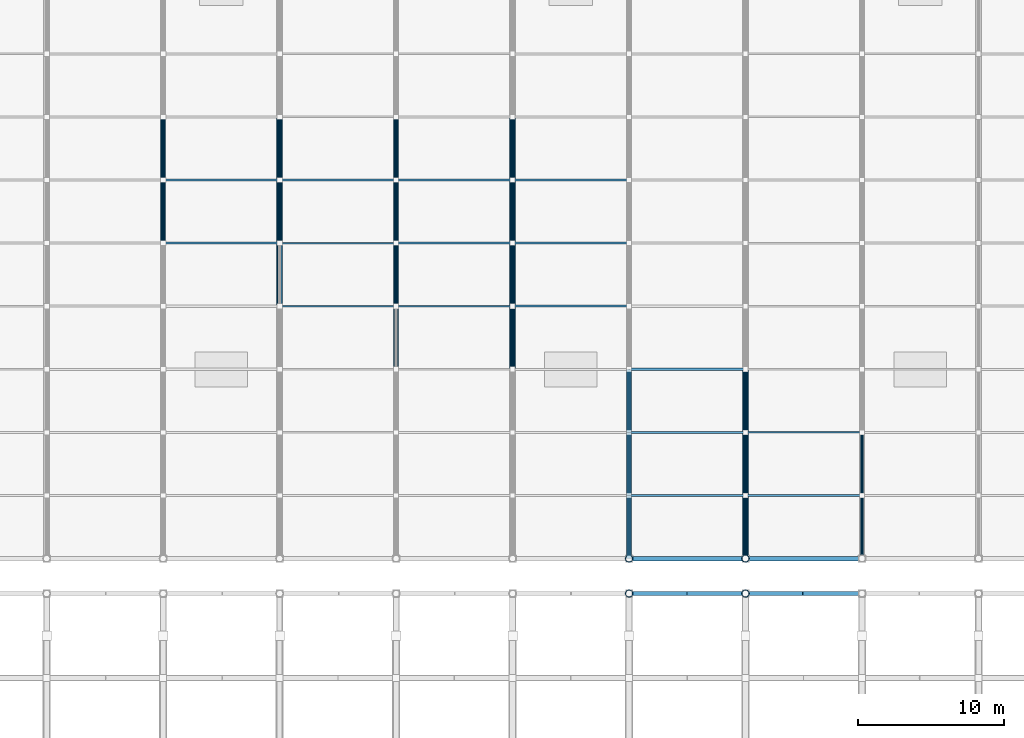
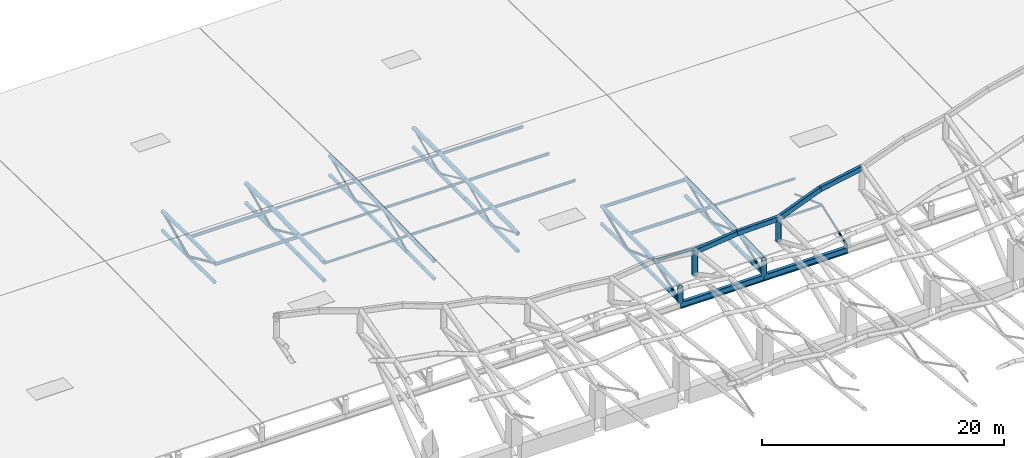
# One storey, part 19 of 75: 77 members, 6 beams.
"""IFC4 building model written with IfcOpenShell, lengths in metres."""

import ifcopenshell
import ifcopenshell.guid

model = None  # the IFC model being written
_history = None  # IfcOwnerHistory: only IFC2X3 demands one
_inside = {}  # id of a spatial element -> (the spatial element, [elements in it])
_under = {}  # id of a project, library or spatial element -> (it, [spatial elements below it])
_declared = {}  # id of a project -> (the project, [libraries it declares])
_typed = {}  # id of a type object -> (the type object, [elements of that type])
_made_of = {}  # id of a material, layer set ... -> (it, [elements and type objects made of it])


def new_model(schema):
    """Start an empty IFC model of exactly this schema.

    Asked for "IFC4X3", IfcOpenShell would pick the latest addendum, in which some entities
    have other attributes; the version numbers below select the first issue.
    IFC2X3 requires an IfcOwnerHistory on every rooted entity: one is made here for all.
    """
    global model, _history
    if schema == "IFC4X3":
        model = ifcopenshell.file(schema_version=(4, 3, 0, 0))
    else:
        model = ifcopenshell.file(schema=schema)
    _inside.clear()
    _under.clear()
    _declared.clear()
    _typed.clear()
    _made_of.clear()
    _history = None
    if model.schema == "IFC2X3":
        org = make("IfcOrganization", Name="unknown")
        user = make(
            "IfcPersonAndOrganization",
            ThePerson=make("IfcPerson", FamilyName="unknown"),
            TheOrganization=org,
        )
        app = make(
            "IfcApplication",
            ApplicationDeveloper=org,
            Version="unknown",
            ApplicationFullName="unknown",
            ApplicationIdentifier="unknown",
        )
        _history = make(
            "IfcOwnerHistory",
            OwningUser=user,
            OwningApplication=app,
            ChangeAction="ADDED",
            CreationDate=0,
        )
    return model


def make(cls, **values):
    """One entity of the class cls with the attributes given. An attribute that is None is left unset."""
    return model.create_entity(
        cls, **{name: value for name, value in values.items() if value is not None}
    )


def rooted(cls, **values):
    """An entity with a GlobalId (a new one), such as an element, a storey or a relation."""
    return make(cls, GlobalId=ifcopenshell.guid.new(), OwnerHistory=_history, **values)


def si_unit(unit_type, name, prefix=None):
    """IfcSIUnit, for example si_unit("LENGTHUNIT", "METRE", prefix="MILLI")."""
    return make("IfcSIUnit", UnitType=unit_type, Prefix=prefix, Name=name)


def assignment(units):
    """IfcUnitAssignment: the units of a project."""
    return None if units is None else make("IfcUnitAssignment", Units=units)


def point(xyz):
    """IfcCartesianPoint."""
    return None if xyz is None else make("IfcCartesianPoint", Coordinates=xyz)


def direction(xyz):
    """IfcDirection."""
    return None if xyz is None else make("IfcDirection", DirectionRatios=xyz)


def frame(location, z_axis=None, x_axis=None):
    """IfcAxis2Placement3D, a coordinate frame: its origin and axes. An axis left out is left unset."""
    return make(
        "IfcAxis2Placement3D",
        Location=point(location),
        Axis=direction(z_axis),
        RefDirection=direction(x_axis),
    )


def frame_2d(location, x_axis=None):
    """IfcAxis2Placement2D, a coordinate frame in the plane: its origin and x axis."""
    return make(
        "IfcAxis2Placement2D", Location=point(location), RefDirection=direction(x_axis)
    )


def origin():
    """The frame at (0, 0, 0) with its axes left unset."""
    return frame((0.0, 0.0, 0.0))


def origin_2d():
    """The frame at (0, 0) in the plane with its x axis left unset."""
    return frame_2d((0.0, 0.0))


def place(relative_to, where):
    """IfcLocalPlacement: puts the frame where relative to a parent placement (None: the world)."""
    return make(
        "IfcLocalPlacement", PlacementRelTo=relative_to, RelativePlacement=where
    )


def context(
    kind, dimensions, precision=None, world=None, true_north=None, identifier=None
):
    """IfcGeometricRepresentationContext, for example the 3D "Model" context."""
    return make(
        "IfcGeometricRepresentationContext",
        ContextIdentifier=identifier,
        ContextType=kind,
        CoordinateSpaceDimension=dimensions,
        Precision=precision,
        WorldCoordinateSystem=world,
        TrueNorth=true_north,
    )


def subcontext(parent, identifier, kind, view, scale=None):
    """IfcGeometricRepresentationSubContext, for example "Body" below "Model"."""
    return make(
        "IfcGeometricRepresentationSubContext",
        ContextIdentifier=identifier,
        ContextType=kind,
        ParentContext=parent,
        TargetScale=scale,
        TargetView=view,
    )


def project(units=None, contexts=None):
    """IfcProject with its units and contexts."""
    return rooted(
        "IfcProject",
        Name="project",
        RepresentationContexts=contexts,
        UnitsInContext=assignment(units),
    )


def spatial(cls, under=None, at=None, **own):
    """A site, building, storey or space (cls), placed at a placement, below another one or the project."""
    s = rooted(cls, ObjectPlacement=at, **own)
    if under is not None:
        _under.setdefault(under.id(), (under, []))[1].append(s)
    return s


def profile(cls, at=None, kind="AREA", **sizes):
    """A parametric profile (cls). Its sizes go by their IFC names, for example OverallWidth=200.0."""
    return make(cls, ProfileType=kind, Position=at, **sizes)


def hollow_rectangle(**sizes):
    """IfcRectangleHollowProfileDef."""
    return profile("IfcRectangleHollowProfileDef", **sizes)


def hollow_circle(**sizes):
    """IfcCircleHollowProfileDef."""
    return profile("IfcCircleHollowProfileDef", **sizes)


def i_section(**sizes):
    """IfcIShapeProfileDef."""
    return profile("IfcIShapeProfileDef", **sizes)


def extrude(swept, where, along, depth):
    """IfcExtrudedAreaSolid: the profile swept, set in the frame where, extruded along a direction by depth."""
    return make(
        "IfcExtrudedAreaSolid",
        SweptArea=swept,
        Position=where,
        ExtrudedDirection=direction(along),
        Depth=depth,
    )


def shape(context_of_items, identifier, shape_type, items):
    """IfcShapeRepresentation: the items that make up one representation, for example the "Body"."""
    return make(
        "IfcShapeRepresentation",
        ContextOfItems=context_of_items,
        RepresentationIdentifier=identifier,
        RepresentationType=shape_type,
        Items=items,
    )


def material(Name=None, Category=None):
    """IfcMaterial."""
    return make("IfcMaterial", Name=Name, Category=Category)


def material_profile(
    of_material, cross_section, Name=None, Category=None, Priority=None
):
    """IfcMaterialProfile: a cross section and its material."""
    return make(
        "IfcMaterialProfile",
        Name=Name,
        Material=of_material,
        Profile=cross_section,
        Priority=Priority,
        Category=Category,
    )


def profile_set(profiles, Name=None, composite=None):
    """IfcMaterialProfileSet."""
    return make(
        "IfcMaterialProfileSet",
        Name=Name,
        MaterialProfiles=profiles,
        CompositeProfile=composite,
    )


def made_of(thing, what):
    """Note that an element or type object is made of a material, layer set ...; save() writes the relation."""
    if what is not None:
        _made_of.setdefault(what.id(), (what, []))[1].append(thing)
    return thing


def type_object(cls, material=None, **own):
    """A type object (cls), such as IfcWallType, which elements share."""
    return made_of(rooted(cls, **own), material)


def element(
    cls,
    number,
    at=None,
    inside=None,
    cuts=None,
    type_object=None,
    material=None,
    context=None,
    identifier="Body",
    shape_type=None,
    held_by="IfcProductDefinitionShape",
    body=None,
    shapes=None,
    **own,
):
    """One element of the class cls, such as IfcWall. Its Tag is "e" and its number.

    at: its placement. inside: the storey or other place that contains it. cuts: it is an
    opening in that element (IfcRelVoidsElement). A single representation is given by context,
    identifier, shape_type and body (its items); several are given by shapes. held_by: the class
    of the entity that holds the representations. save() writes the other relations.
    """
    e = rooted(cls, Tag="e%d" % number, ObjectPlacement=at, **own)
    if body is not None:
        shapes = [shape(context, identifier, shape_type, body)]
    if shapes is not None:
        e.Representation = make(held_by, Representations=shapes)
    if inside is not None:
        _inside.setdefault(inside.id(), (inside, []))[1].append(e)
    if cuts is not None:
        rooted(
            "IfcRelVoidsElement", RelatingBuildingElement=cuts, RelatedOpeningElement=e
        )
    if type_object is not None:
        _typed.setdefault(type_object.id(), (type_object, []))[1].append(e)
    return made_of(e, material)


def aggregate(whole, parts):
    """IfcRelAggregates: a whole, such as a stair, and the parts it consists of."""
    return rooted("IfcRelAggregates", RelatingObject=whole, RelatedObjects=parts)


def save(model, path):
    """Write the relations noted so far, then the file.

    IfcRelAggregates (storeys below a building ...), IfcRelContainedInSpatialStructure (elements
    in a storey), IfcRelDefinesByType, IfcRelAssociatesMaterial and IfcRelDeclares: one each for
    every whole, place, type object, material and project.
    """
    for whole, parts in _under.values():
        aggregate(whole, parts)
    for where, things in _inside.values():
        rooted(
            "IfcRelContainedInSpatialStructure",
            RelatedElements=things,
            RelatingStructure=where,
        )
    for kind, things in _typed.values():
        rooted("IfcRelDefinesByType", RelatedObjects=things, RelatingType=kind)
    for what, things in _made_of.values():
        rooted("IfcRelAssociatesMaterial", RelatedObjects=things, RelatingMaterial=what)
    for by, libraries in _declared.values():
        rooted("IfcRelDeclares", RelatingContext=by, RelatedDefinitions=libraries)
    model.write(path)


model = new_model("IFC4")

# Units and contexts
model_context = context("Model", 3, precision=1e-05, world=origin(), true_north=direction((0.0, 1.0)))
body_context = subcontext(model_context, "Body", "Model", "MODEL_VIEW")
ifc_project = project(units=[si_unit("LENGTHUNIT", "METRE"), si_unit("AREAUNIT", "SQUARE_METRE"), si_unit("VOLUMEUNIT", "CUBIC_METRE"), si_unit("PLANEANGLEUNIT", "RADIAN"), si_unit("MASSUNIT", "GRAM", prefix="KILO")], contexts=[model_context])

# Site, building, storey
site_placement = place(None, origin())
site = spatial("IfcSite", under=ifc_project, at=site_placement, CompositionType="ELEMENT")
building_placement = place(site_placement, origin())
building = spatial("IfcBuilding", under=site, at=building_placement, Name="Khorjan Park Terminus", CompositionType="ELEMENT")
storey_placement = place(building_placement, frame((0.0, 0.0, 16.2)))
storey = spatial("IfcBuildingStorey", under=building, at=storey_placement, Name="L03", CompositionType="ELEMENT", Elevation=16.2)

# Members
ifc_material = material(Name="Steel S355", Category="steel")
ifc_material_profile_1 = material_profile(ifc_material, hollow_circle(Radius=0.0842, WallThickness=0.008, at=origin_2d()), Name="CHS 168.3x8")
ifc_profile_set_1 = profile_set([ifc_material_profile_1], Name="Steel S355")
member_type_1 = type_object("IfcMemberType", Name="MB-BR-168", PredefinedType="BRACE", material=ifc_profile_set_1)
member_1_placement = place(storey_placement, frame((88.0, 115.0, -0.825), z_axis=(0.0, 0.92537575721, -0.379051062481), x_axis=(-1.0, 0.0, 0.0)))
element("IfcMember", 1, at=member_1_placement, inside=storey, type_object=member_type_1, Name="Train shed flat truss web diagonal TB-17 (T11)", PredefinedType="BRACE", context=body_context, shape_type="SweptSolid", body=[
    extrude(hollow_circle(Radius=0.0842, WallThickness=0.008, at=origin_2d()), origin(), (0.0, 0.0, 1.0), 4.6827),
])
for number, where, z_axis, x_axis, name in (
    (2, (88.0, 119.3333, -2.6), (0.0, 0.911269553162, 0.411810395061), (-1.0, 0.0, 0.0), "Train shed flat truss web diagonal TB-17 (T11)"),
    (3, (88.0, 123.6667, -0.6417), (0.0, 0.911265986802, -0.411818286745), (-1.0, 0.0, 0.0), "Train shed flat truss web diagonal TB-17 (T11)"),
    (4, (88.0, 128.0, -2.6), (0.0, 0.911265986802, 0.411818286745), (-1.0, 0.0, 0.0), "Train shed flat truss web diagonal TB-17 (T11)"),
):
    element("IfcMember", number, at=place(storey_placement, frame(where, z_axis=z_axis, x_axis=x_axis)), inside=storey, type_object=member_type_1, Name=name, PredefinedType="BRACE", context=body_context, shape_type="SweptSolid", body=[
        extrude(hollow_circle(Radius=0.0842, WallThickness=0.008, at=origin_2d()), origin(), (0.0, 0.0, 1.0), 4.7553),
    ])
ifc_material_profile_2 = material_profile(ifc_material, hollow_circle(Radius=0.0969, WallThickness=0.01, at=origin_2d()), Name="CHS 193.7x10")
ifc_profile_set_2 = profile_set([ifc_material_profile_2], Name="Steel S355")
member_type_2 = type_object("IfcMemberType", Name="MB-BR-194", PredefinedType="BRACE", material=ifc_profile_set_2)
for number, where, z_axis, x_axis, name in (
    (5, (80.0, 119.3333, -2.6), (0.0, 0.911269553162, 0.411810395061), (-1.0, 0.0, 0.0), "Train shed flat truss web diagonal TB-19 (T10)"),
    (6, (80.0, 123.6667, -0.6417), (0.0, 0.911265986802, -0.411818286745), (-1.0, 0.0, 0.0), "Train shed flat truss web diagonal TB-19 (T10)"),
    (7, (80.0, 128.0, -2.6), (0.0, 0.911265986802, 0.411818286745), (-1.0, 0.0, 0.0), "Train shed flat truss web diagonal TB-19 (T10)"),
):
    element("IfcMember", number, at=place(storey_placement, frame(where, z_axis=z_axis, x_axis=x_axis)), inside=storey, type_object=member_type_2, Name=name, PredefinedType="BRACE", context=body_context, shape_type="SweptSolid", body=[
        extrude(hollow_circle(Radius=0.0969, WallThickness=0.01, at=origin_2d()), origin(), (0.0, 0.0, 1.0), 4.7553),
    ])
member_2_placement = place(storey_placement, frame((112.0, 102.0, -2.6), z_axis=(0.0, 0.938678487602, 0.344793701963), x_axis=(-1.0, 0.0, 0.0)))
element("IfcMember", 8, at=member_2_placement, inside=storey, type_object=member_type_2, Name="Train shed flat truss web diagonal TB-19 (T14)", PredefinedType="BRACE", context=body_context, shape_type="SweptSolid", body=[
    extrude(hollow_circle(Radius=0.0969, WallThickness=0.01, at=origin_2d()), origin(), (0.0, 0.0, 1.0), 4.6164),
])
member_3_placement = place(storey_placement, frame((112.0, 106.3333, -1.0083), z_axis=(0.0, 0.938681062758, -0.344786691187), x_axis=(-1.0, 0.0, 0.0)))
element("IfcMember", 9, at=member_3_placement, inside=storey, type_object=member_type_2, Name="Train shed flat truss web diagonal TB-19 (T14)", PredefinedType="BRACE", context=body_context, shape_type="SweptSolid", body=[
    extrude(hollow_circle(Radius=0.0969, WallThickness=0.01, at=origin_2d()), origin(), (0.0, 0.0, 1.0), 4.6165),
])
ifc_material_profile_3 = material_profile(ifc_material, hollow_circle(Radius=0.1095, WallThickness=0.01, at=origin_2d()), Name="CHS 219.1x10")
ifc_profile_set_3 = profile_set([ifc_material_profile_3], Name="Steel S355")
member_type_3 = type_object("IfcMemberType", Name="MB-BR-219", PredefinedType="BRACE", material=ifc_profile_set_3)
for number, where, z_axis, x_axis, name in (
    (10, (72.0, 123.6667, -0.6417), (0.0, 0.911265986802, -0.411818286745), (-1.0, 0.0, 0.0), "Train shed flat truss web diagonal TB-22 (T9)"),
    (11, (72.0, 128.0, -2.6), (0.0, 0.911265986802, 0.411818286745), (-1.0, 0.0, 0.0), "Train shed flat truss web diagonal TB-22 (T9)"),
):
    element("IfcMember", number, at=place(storey_placement, frame(where, z_axis=z_axis, x_axis=x_axis)), inside=storey, type_object=member_type_3, Name=name, PredefinedType="BRACE", context=body_context, shape_type="SweptSolid", body=[
        extrude(hollow_circle(Radius=0.1095, WallThickness=0.01, at=origin_2d()), origin(), (0.0, 0.0, 1.0), 4.7553),
    ])
member_4_placement = place(storey_placement, frame((104.0, 102.0, -2.6), z_axis=(0.0, 0.938678487602, 0.344793701963), x_axis=(-1.0, 0.0, 0.0)))
element("IfcMember", 12, at=member_4_placement, inside=storey, type_object=member_type_3, Name="Train shed flat truss web diagonal TB-22 (T13)", PredefinedType="BRACE", context=body_context, shape_type="SweptSolid", body=[
    extrude(hollow_circle(Radius=0.1095, WallThickness=0.01, at=origin_2d()), origin(), (0.0, 0.0, 1.0), 4.6164),
])
member_5_placement = place(storey_placement, frame((104.0, 106.3333, -1.0083), z_axis=(0.0, 0.938681062758, -0.344786691187), x_axis=(-1.0, 0.0, 0.0)))
element("IfcMember", 13, at=member_5_placement, inside=storey, type_object=member_type_3, Name="Train shed flat truss web diagonal TB-22 (T13)", PredefinedType="BRACE", context=body_context, shape_type="SweptSolid", body=[
    extrude(hollow_circle(Radius=0.1095, WallThickness=0.01, at=origin_2d()), origin(), (0.0, 0.0, 1.0), 4.6165),
])
member_6_placement = place(storey_placement, frame((104.0, 110.6667, -2.6), z_axis=(0.0, 0.92537575721, 0.379051062481), x_axis=(-1.0, 0.0, 0.0)))
element("IfcMember", 14, at=member_6_placement, inside=storey, type_object=member_type_3, Name="Train shed flat truss web diagonal TB-22 (T13)", PredefinedType="BRACE", context=body_context, shape_type="SweptSolid", body=[
    extrude(hollow_circle(Radius=0.1095, WallThickness=0.01, at=origin_2d()), origin(), (0.0, 0.0, 1.0), 4.6827),
])
ifc_material_profile_4 = material_profile(ifc_material, hollow_circle(Radius=0.1222, WallThickness=0.0125, at=origin_2d()), Name="CHS 244.5x12.5")
ifc_profile_set_4 = profile_set([ifc_material_profile_4], Name="Steel S355")
member_type_4 = type_object("IfcMemberType", Name="MB-BR-245", PredefinedType="BRACE", material=ifc_profile_set_4)
for number, where, z_axis, x_axis, name in (
    (15, (64.0, 123.6667, -0.6417), (0.0, 0.911265986802, -0.411818286745), (-1.0, 0.0, 0.0), "Train shed flat truss web diagonal TB-24 (T8)"),
    (16, (64.0, 128.0, -2.6), (0.0, 0.911265986802, 0.411818286745), (-1.0, 0.0, 0.0), "Train shed flat truss web diagonal TB-24 (T8)"),
):
    element("IfcMember", number, at=place(storey_placement, frame(where, z_axis=z_axis, x_axis=x_axis)), inside=storey, type_object=member_type_4, Name=name, PredefinedType="BRACE", context=body_context, shape_type="SweptSolid", body=[
        extrude(hollow_circle(Radius=0.1222, WallThickness=0.0125, at=origin_2d()), origin(), (0.0, 0.0, 1.0), 4.7553),
    ])
member_7_placement = place(storey_placement, frame((96.0, 102.0, -2.6), z_axis=(0.0, 0.938678487602, 0.344793701963), x_axis=(-1.0, 0.0, 0.0)))
element("IfcMember", 17, at=member_7_placement, inside=storey, type_object=member_type_4, Name="Train shed flat truss web diagonal TB-24 (T12)", PredefinedType="BRACE", context=body_context, shape_type="SweptSolid", body=[
    extrude(hollow_circle(Radius=0.1222, WallThickness=0.0125, at=origin_2d()), origin(), (0.0, 0.0, 1.0), 4.6164),
])
member_8_placement = place(storey_placement, frame((96.0, 106.3333, -1.0083), z_axis=(0.0, 0.938681062758, -0.344786691187), x_axis=(-1.0, 0.0, 0.0)))
element("IfcMember", 18, at=member_8_placement, inside=storey, type_object=member_type_4, Name="Train shed flat truss web diagonal TB-24 (T12)", PredefinedType="BRACE", context=body_context, shape_type="SweptSolid", body=[
    extrude(hollow_circle(Radius=0.1222, WallThickness=0.0125, at=origin_2d()), origin(), (0.0, 0.0, 1.0), 4.6165),
])
member_9_placement = place(storey_placement, frame((96.0, 110.6667, -2.6), z_axis=(0.0, 0.92537575721, 0.379051062481), x_axis=(-1.0, 0.0, 0.0)))
element("IfcMember", 19, at=member_9_placement, inside=storey, type_object=member_type_4, Name="Train shed flat truss web diagonal TB-24 (T12)", PredefinedType="BRACE", context=body_context, shape_type="SweptSolid", body=[
    extrude(hollow_circle(Radius=0.1222, WallThickness=0.0125, at=origin_2d()), origin(), (0.0, 0.0, 1.0), 4.6827),
])
ifc_material_profile_5 = material_profile(ifc_material, hollow_circle(Radius=0.162, WallThickness=0.0125, at=origin_2d()), Name="CHS 323.9x12.5")
ifc_profile_set_5 = profile_set([ifc_material_profile_5], Name="Steel S355")
member_type_5 = type_object("IfcMemberType", Name="MB-CH-324", PredefinedType="CHORD", material=ifc_profile_set_5)
for number, where, z_axis, x_axis, name in (
    (20, (64.0, 123.6667, -2.6), (0.0, 1.0, 0.0), (-1.0, 0.0, 0.0), "Train shed flat truss bottom chord TC-32 (T8)"),
    (21, (64.0, 128.0, -2.6), (0.0, 1.0, 0.0), (-1.0, 0.0, 0.0), "Train shed flat truss bottom chord TC-32 (T8)"),
    (22, (80.0, 115.0, -2.6), (0.0, 1.0, 0.0), (-1.0, 0.0, 0.0), "Train shed flat truss bottom chord TC-32 (T10)"),
):
    element("IfcMember", number, at=place(storey_placement, frame(where, z_axis=z_axis, x_axis=x_axis)), inside=storey, type_object=member_type_5, Name=name, PredefinedType="CHORD", context=body_context, shape_type="SweptSolid", body=[
        extrude(hollow_circle(Radius=0.162, WallThickness=0.0125, at=origin_2d()), origin(), (0.0, 0.0, 1.0), 4.3333),
    ])
member_10_placement = place(storey_placement, frame((80.0, 119.3333, -2.6), z_axis=(0.0, 1.0, 0.0), x_axis=(-1.0, 0.0, 0.0)))
element("IfcMember", 23, at=member_10_placement, inside=storey, type_object=member_type_5, Name="Train shed flat truss bottom chord TC-32 (T10)", PredefinedType="CHORD", context=body_context, shape_type="SweptSolid", body=[
    extrude(hollow_circle(Radius=0.162, WallThickness=0.0125, at=origin_2d()), origin(), (0.0, 0.0, 1.0), 4.3334),
])
for number, where, z_axis, x_axis, name in (
    (24, (80.0, 123.6667, -2.6), (0.0, 1.0, 0.0), (-1.0, 0.0, 0.0), "Train shed flat truss bottom chord TC-32 (T10)"),
    (25, (80.0, 128.0, -2.6), (0.0, 1.0, 0.0), (-1.0, 0.0, 0.0), "Train shed flat truss bottom chord TC-32 (T10)"),
    (26, (96.0, 102.0, -2.6), (0.0, 1.0, 0.0), (-1.0, 0.0, 0.0), "Train shed flat truss bottom chord TC-32 (T12)"),
):
    element("IfcMember", number, at=place(storey_placement, frame(where, z_axis=z_axis, x_axis=x_axis)), inside=storey, type_object=member_type_5, Name=name, PredefinedType="CHORD", context=body_context, shape_type="SweptSolid", body=[
        extrude(hollow_circle(Radius=0.162, WallThickness=0.0125, at=origin_2d()), origin(), (0.0, 0.0, 1.0), 4.3333),
    ])
member_11_placement = place(storey_placement, frame((96.0, 106.3333, -2.6), z_axis=(0.0, 1.0, 0.0), x_axis=(-1.0, 0.0, 0.0)))
element("IfcMember", 27, at=member_11_placement, inside=storey, type_object=member_type_5, Name="Train shed flat truss bottom chord TC-32 (T12)", PredefinedType="CHORD", context=body_context, shape_type="SweptSolid", body=[
    extrude(hollow_circle(Radius=0.162, WallThickness=0.0125, at=origin_2d()), origin(), (0.0, 0.0, 1.0), 4.3334),
])
member_12_placement = place(storey_placement, frame((96.0, 110.6667, -2.6), z_axis=(0.0, 1.0, 0.0), x_axis=(-1.0, 0.0, 0.0)))
element("IfcMember", 28, at=member_12_placement, inside=storey, type_object=member_type_5, Name="Train shed flat truss bottom chord TC-32 (T12)", PredefinedType="CHORD", context=body_context, shape_type="SweptSolid", body=[
    extrude(hollow_circle(Radius=0.162, WallThickness=0.0125, at=origin_2d()), origin(), (0.0, 0.0, 1.0), 4.3333),
])
ifc_material_profile_6 = material_profile(ifc_material, hollow_circle(Radius=0.1778, WallThickness=0.016, at=origin_2d()), Name="CHS 355.6x16")
ifc_profile_set_6 = profile_set([ifc_material_profile_6], Name="Steel S355")
member_type_6 = type_object("IfcMemberType", Name="MB-CH-356", PredefinedType="CHORD", material=ifc_profile_set_6)
for number, where, z_axis, x_axis, name in (
    (29, (64.0, 123.6667, -0.6417), (0.0, 0.999776166375, 0.021156964544), (-1.0, 0.0, 0.0), "Train shed flat truss top chord TC-36 (T8)"),
    (30, (64.0, 128.0, -0.55), (0.0, 0.999776166375, -0.021156964544), (-1.0, 0.0, 0.0), "Train shed flat truss top chord TC-36 (T8)"),
):
    element("IfcMember", number, at=place(storey_placement, frame(where, z_axis=z_axis, x_axis=x_axis)), inside=storey, type_object=member_type_6, Name=name, PredefinedType="CHORD", context=body_context, shape_type="SweptSolid", body=[
        extrude(hollow_circle(Radius=0.1778, WallThickness=0.016, at=origin_2d()), origin(), (0.0, 0.0, 1.0), 4.3343),
    ])
member_13_placement = place(storey_placement, frame((72.0, 119.3333, -2.6), z_axis=(0.0, 1.0, 0.0), x_axis=(-1.0, 0.0, 0.0)))
element("IfcMember", 31, at=member_13_placement, inside=storey, type_object=member_type_6, Name="Train shed flat truss bottom chord TC-36 (T9)", PredefinedType="CHORD", context=body_context, shape_type="SweptSolid", body=[
    extrude(hollow_circle(Radius=0.1778, WallThickness=0.016, at=origin_2d()), origin(), (0.0, 0.0, 1.0), 4.3334),
])
for number, where, z_axis, x_axis, name in (
    (32, (72.0, 123.6667, -2.6), (0.0, 1.0, 0.0), (-1.0, 0.0, 0.0), "Train shed flat truss bottom chord TC-36 (T9)"),
    (33, (72.0, 128.0, -2.6), (0.0, 1.0, 0.0), (-1.0, 0.0, 0.0), "Train shed flat truss bottom chord TC-36 (T9)"),
):
    element("IfcMember", number, at=place(storey_placement, frame(where, z_axis=z_axis, x_axis=x_axis)), inside=storey, type_object=member_type_6, Name=name, PredefinedType="CHORD", context=body_context, shape_type="SweptSolid", body=[
        extrude(hollow_circle(Radius=0.1778, WallThickness=0.016, at=origin_2d()), origin(), (0.0, 0.0, 1.0), 4.3333),
    ])
member_14_placement = place(storey_placement, frame((80.0, 115.0, -0.825), z_axis=(0.0, 0.999776166375, 0.021156964544), x_axis=(-1.0, 0.0, 0.0)))
element("IfcMember", 34, at=member_14_placement, inside=storey, type_object=member_type_6, Name="Train shed flat truss top chord TC-36 (T10)", PredefinedType="CHORD", context=body_context, shape_type="SweptSolid", body=[
    extrude(hollow_circle(Radius=0.1778, WallThickness=0.016, at=origin_2d()), origin(), (0.0, 0.0, 1.0), 4.3343),
])
member_15_placement = place(storey_placement, frame((80.0, 119.3333, -0.7333), z_axis=(0.0, 0.999776664437, 0.021133415439), x_axis=(-1.0, 0.0, 0.0)))
element("IfcMember", 35, at=member_15_placement, inside=storey, type_object=member_type_6, Name="Train shed flat truss top chord TC-36 (T10)", PredefinedType="CHORD", context=body_context, shape_type="SweptSolid", body=[
    extrude(hollow_circle(Radius=0.1778, WallThickness=0.016, at=origin_2d()), origin(), (0.0, 0.0, 1.0), 4.3344),
])
for number, where, z_axis, x_axis, name in (
    (36, (80.0, 123.6667, -0.6417), (0.0, 0.999776166375, 0.021156964544), (-1.0, 0.0, 0.0), "Train shed flat truss top chord TC-36 (T10)"),
    (37, (80.0, 128.0, -0.55), (0.0, 0.999776166375, -0.021156964544), (-1.0, 0.0, 0.0), "Train shed flat truss top chord TC-36 (T10)"),
):
    element("IfcMember", number, at=place(storey_placement, frame(where, z_axis=z_axis, x_axis=x_axis)), inside=storey, type_object=member_type_6, Name=name, PredefinedType="CHORD", context=body_context, shape_type="SweptSolid", body=[
        extrude(hollow_circle(Radius=0.1778, WallThickness=0.016, at=origin_2d()), origin(), (0.0, 0.0, 1.0), 4.3343),
    ])
member_16_placement = place(storey_placement, frame((88.0, 115.0, -2.6), z_axis=(0.0, 1.0, 0.0), x_axis=(-1.0, 0.0, 0.0)))
element("IfcMember", 38, at=member_16_placement, inside=storey, type_object=member_type_6, Name="Train shed flat truss bottom chord TC-36 (T11)", PredefinedType="CHORD", context=body_context, shape_type="SweptSolid", body=[
    extrude(hollow_circle(Radius=0.1778, WallThickness=0.016, at=origin_2d()), origin(), (0.0, 0.0, 1.0), 4.3333),
])
member_17_placement = place(storey_placement, frame((88.0, 119.3333, -2.6), z_axis=(0.0, 1.0, 0.0), x_axis=(-1.0, 0.0, 0.0)))
element("IfcMember", 39, at=member_17_placement, inside=storey, type_object=member_type_6, Name="Train shed flat truss bottom chord TC-36 (T11)", PredefinedType="CHORD", context=body_context, shape_type="SweptSolid", body=[
    extrude(hollow_circle(Radius=0.1778, WallThickness=0.016, at=origin_2d()), origin(), (0.0, 0.0, 1.0), 4.3334),
])
for number, where, z_axis, x_axis, name in (
    (40, (88.0, 123.6667, -2.6), (0.0, 1.0, 0.0), (-1.0, 0.0, 0.0), "Train shed flat truss bottom chord TC-36 (T11)"),
    (41, (88.0, 128.0, -2.6), (0.0, 1.0, 0.0), (-1.0, 0.0, 0.0), "Train shed flat truss bottom chord TC-36 (T11)"),
):
    element("IfcMember", number, at=place(storey_placement, frame(where, z_axis=z_axis, x_axis=x_axis)), inside=storey, type_object=member_type_6, Name=name, PredefinedType="CHORD", context=body_context, shape_type="SweptSolid", body=[
        extrude(hollow_circle(Radius=0.1778, WallThickness=0.016, at=origin_2d()), origin(), (0.0, 0.0, 1.0), 4.3333),
    ])
member_18_placement = place(storey_placement, frame((96.0, 102.0, -1.1), z_axis=(0.0, 0.999776166375, 0.021156964544), x_axis=(-1.0, 0.0, 0.0)))
element("IfcMember", 42, at=member_18_placement, inside=storey, type_object=member_type_6, Name="Train shed flat truss top chord TC-36 (T12)", PredefinedType="CHORD", context=body_context, shape_type="SweptSolid", body=[
    extrude(hollow_circle(Radius=0.1778, WallThickness=0.016, at=origin_2d()), origin(), (0.0, 0.0, 1.0), 4.3343),
])
member_19_placement = place(storey_placement, frame((96.0, 106.3333, -1.0083), z_axis=(0.0, 0.999776664437, 0.021133415439), x_axis=(-1.0, 0.0, 0.0)))
element("IfcMember", 43, at=member_19_placement, inside=storey, type_object=member_type_6, Name="Train shed flat truss top chord TC-36 (T12)", PredefinedType="CHORD", context=body_context, shape_type="SweptSolid", body=[
    extrude(hollow_circle(Radius=0.1778, WallThickness=0.016, at=origin_2d()), origin(), (0.0, 0.0, 1.0), 4.3344),
])
member_20_placement = place(storey_placement, frame((96.0, 110.6667, -0.9167), z_axis=(0.0, 0.999776166375, 0.021156964544), x_axis=(-1.0, 0.0, 0.0)))
element("IfcMember", 44, at=member_20_placement, inside=storey, type_object=member_type_6, Name="Train shed flat truss top chord TC-36 (T12)", PredefinedType="CHORD", context=body_context, shape_type="SweptSolid", body=[
    extrude(hollow_circle(Radius=0.1778, WallThickness=0.016, at=origin_2d()), origin(), (0.0, 0.0, 1.0), 4.3343),
])
member_21_placement = place(storey_placement, frame((104.0, 102.0, -2.6), z_axis=(0.0, 1.0, 0.0), x_axis=(-1.0, 0.0, 0.0)))
element("IfcMember", 45, at=member_21_placement, inside=storey, type_object=member_type_6, Name="Train shed flat truss bottom chord TC-36 (T13)", PredefinedType="CHORD", context=body_context, shape_type="SweptSolid", body=[
    extrude(hollow_circle(Radius=0.1778, WallThickness=0.016, at=origin_2d()), origin(), (0.0, 0.0, 1.0), 4.3333),
])
member_22_placement = place(storey_placement, frame((104.0, 106.3333, -2.6), z_axis=(0.0, 1.0, 0.0), x_axis=(-1.0, 0.0, 0.0)))
element("IfcMember", 46, at=member_22_placement, inside=storey, type_object=member_type_6, Name="Train shed flat truss bottom chord TC-36 (T13)", PredefinedType="CHORD", context=body_context, shape_type="SweptSolid", body=[
    extrude(hollow_circle(Radius=0.1778, WallThickness=0.016, at=origin_2d()), origin(), (0.0, 0.0, 1.0), 4.3334),
])
member_23_placement = place(storey_placement, frame((104.0, 110.6667, -2.6), z_axis=(0.0, 1.0, 0.0), x_axis=(-1.0, 0.0, 0.0)))
element("IfcMember", 47, at=member_23_placement, inside=storey, type_object=member_type_6, Name="Train shed flat truss bottom chord TC-36 (T13)", PredefinedType="CHORD", context=body_context, shape_type="SweptSolid", body=[
    extrude(hollow_circle(Radius=0.1778, WallThickness=0.016, at=origin_2d()), origin(), (0.0, 0.0, 1.0), 4.3333),
])
ifc_material_profile_7 = material_profile(ifc_material, hollow_circle(Radius=0.2032, WallThickness=0.016, at=origin_2d()), Name="CHS 406.4x16")
ifc_profile_set_7 = profile_set([ifc_material_profile_7], Name="Steel S355")
member_type_7 = type_object("IfcMemberType", Name="MB-CH-406", PredefinedType="CHORD", material=ifc_profile_set_7)
member_24_placement = place(storey_placement, frame((72.0, 119.3333, -0.7333), z_axis=(0.0, 0.999776664437, 0.021133415439), x_axis=(-1.0, 0.0, 0.0)))
element("IfcMember", 48, at=member_24_placement, inside=storey, type_object=member_type_7, Name="Train shed flat truss top chord TC-41 (T9)", PredefinedType="CHORD", context=body_context, shape_type="SweptSolid", body=[
    extrude(hollow_circle(Radius=0.2032, WallThickness=0.016, at=origin_2d()), origin(), (0.0, 0.0, 1.0), 4.3344),
])
for number, where, z_axis, x_axis, name in (
    (49, (72.0, 123.6667, -0.6417), (0.0, 0.999776166375, 0.021156964544), (-1.0, 0.0, 0.0), "Train shed flat truss top chord TC-41 (T9)"),
    (50, (72.0, 128.0, -0.55), (0.0, 0.999776166375, -0.021156964544), (-1.0, 0.0, 0.0), "Train shed flat truss top chord TC-41 (T9)"),
    (51, (88.0, 115.0, -0.825), (0.0, 0.999776166375, 0.021156964544), (-1.0, 0.0, 0.0), "Train shed flat truss top chord TC-41 (T11)"),
):
    element("IfcMember", number, at=place(storey_placement, frame(where, z_axis=z_axis, x_axis=x_axis)), inside=storey, type_object=member_type_7, Name=name, PredefinedType="CHORD", context=body_context, shape_type="SweptSolid", body=[
        extrude(hollow_circle(Radius=0.2032, WallThickness=0.016, at=origin_2d()), origin(), (0.0, 0.0, 1.0), 4.3343),
    ])
member_25_placement = place(storey_placement, frame((88.0, 119.3333, -0.7333), z_axis=(0.0, 0.999776664437, 0.021133415439), x_axis=(-1.0, 0.0, 0.0)))
element("IfcMember", 52, at=member_25_placement, inside=storey, type_object=member_type_7, Name="Train shed flat truss top chord TC-41 (T11)", PredefinedType="CHORD", context=body_context, shape_type="SweptSolid", body=[
    extrude(hollow_circle(Radius=0.2032, WallThickness=0.016, at=origin_2d()), origin(), (0.0, 0.0, 1.0), 4.3344),
])
for number, where, z_axis, x_axis, name in (
    (53, (88.0, 123.6667, -0.6417), (0.0, 0.999776166375, 0.021156964544), (-1.0, 0.0, 0.0), "Train shed flat truss top chord TC-41 (T11)"),
    (54, (88.0, 128.0, -0.55), (0.0, 0.999776166375, -0.021156964544), (-1.0, 0.0, 0.0), "Train shed flat truss top chord TC-41 (T11)"),
    (55, (104.0, 102.0, -1.1), (0.0, 0.999776166375, 0.021156964544), (-1.0, 0.0, 0.0), "Train shed flat truss top chord TC-41 (T13)"),
):
    element("IfcMember", number, at=place(storey_placement, frame(where, z_axis=z_axis, x_axis=x_axis)), inside=storey, type_object=member_type_7, Name=name, PredefinedType="CHORD", context=body_context, shape_type="SweptSolid", body=[
        extrude(hollow_circle(Radius=0.2032, WallThickness=0.016, at=origin_2d()), origin(), (0.0, 0.0, 1.0), 4.3343),
    ])
member_26_placement = place(storey_placement, frame((104.0, 106.3333, -1.0083), z_axis=(0.0, 0.999776664437, 0.021133415439), x_axis=(-1.0, 0.0, 0.0)))
element("IfcMember", 56, at=member_26_placement, inside=storey, type_object=member_type_7, Name="Train shed flat truss top chord TC-41 (T13)", PredefinedType="CHORD", context=body_context, shape_type="SweptSolid", body=[
    extrude(hollow_circle(Radius=0.2032, WallThickness=0.016, at=origin_2d()), origin(), (0.0, 0.0, 1.0), 4.3344),
])
member_27_placement = place(storey_placement, frame((104.0, 110.6667, -0.9167), z_axis=(0.0, 0.999776166375, 0.021156964544), x_axis=(-1.0, 0.0, 0.0)))
element("IfcMember", 57, at=member_27_placement, inside=storey, type_object=member_type_7, Name="Train shed flat truss top chord TC-41 (T13)", PredefinedType="CHORD", context=body_context, shape_type="SweptSolid", body=[
    extrude(hollow_circle(Radius=0.2032, WallThickness=0.016, at=origin_2d()), origin(), (0.0, 0.0, 1.0), 4.3343),
])
ifc_material_profile_8 = material_profile(ifc_material, i_section(OverallWidth=0.11, OverallDepth=0.22, WebThickness=0.0059, FlangeThickness=0.0092, FilletRadius=0.012, at=origin_2d()), Name="IPE 220")
ifc_profile_set_8 = profile_set([ifc_material_profile_8], Name="Steel S355")
member_type_8 = type_object("IfcMemberType", Name="MB-PR-IPE220", PredefinedType="PURLIN", material=ifc_profile_set_8)
for number, where, z_axis, x_axis, name in (
    (58, (72.0, 119.3333, -0.8233), (1.0, 0.0, 0.0), (0.0, 1.0, 0.0), "Train shed secondary roof purlin PR-22 (Bay 9)"),
    (59, (72.0, 123.6667, -0.7317), (1.0, 0.0, 0.0), (0.0, 1.0, 0.0), "Train shed secondary roof purlin PR-22 (Bay 9)"),
    (60, (72.0, 128.0, -0.64), (1.0, 0.0, 0.0), (0.0, 1.0, 0.0), "Train shed secondary roof purlin PR-22 (Bay 9)"),
    (61, (104.0, 106.3333, -1.0983), (1.0, 0.0, 0.0), (0.0, 1.0, 0.0), "Train shed secondary roof purlin PR-22 (Bay 13)"),
    (62, (104.0, 110.6667, -1.0067), (1.0, 0.0, 0.0), (0.0, 1.0, 0.0), "Train shed secondary roof purlin PR-22 (Bay 13)"),
):
    element("IfcMember", number, at=place(storey_placement, frame(where, z_axis=z_axis, x_axis=x_axis)), inside=storey, type_object=member_type_8, Name=name, PredefinedType="PURLIN", context=body_context, shape_type="SweptSolid", body=[
        extrude(i_section(OverallWidth=0.11, OverallDepth=0.22, WebThickness=0.0059, FlangeThickness=0.0092, FilletRadius=0.012, at=origin_2d()), origin(), (0.0, 0.0, 1.0), 8.0),
    ])
ifc_material_profile_9 = material_profile(ifc_material, i_section(OverallWidth=0.12, OverallDepth=0.24, WebThickness=0.0062, FlangeThickness=0.0098, FilletRadius=0.015, at=origin_2d()), Name="IPE 240")
ifc_profile_set_9 = profile_set([ifc_material_profile_9], Name="Steel S355")
member_type_9 = type_object("IfcMemberType", Name="MB-PR-IPE240", PredefinedType="PURLIN", material=ifc_profile_set_9)
for number, where, z_axis, x_axis, name in (
    (63, (80.0, 119.3333, -0.8333), (1.0, 0.0, 0.0), (0.0, 1.0, 0.0), "Train shed secondary roof purlin PR-24 (Bay 10)"),
    (64, (80.0, 123.6667, -0.7417), (1.0, 0.0, 0.0), (0.0, 1.0, 0.0), "Train shed secondary roof purlin PR-24 (Bay 10)"),
    (65, (80.0, 128.0, -0.65), (1.0, 0.0, 0.0), (0.0, 1.0, 0.0), "Train shed secondary roof purlin PR-24 (Bay 10)"),
):
    element("IfcMember", number, at=place(storey_placement, frame(where, z_axis=z_axis, x_axis=x_axis)), inside=storey, type_object=member_type_9, Name=name, PredefinedType="PURLIN", context=body_context, shape_type="SweptSolid", body=[
        extrude(i_section(OverallWidth=0.12, OverallDepth=0.24, WebThickness=0.0062, FlangeThickness=0.0098, FilletRadius=0.015, at=origin_2d()), origin(), (0.0, 0.0, 1.0), 8.0),
    ])
ifc_material_profile_10 = material_profile(ifc_material, i_section(OverallWidth=0.135, OverallDepth=0.27, WebThickness=0.0066, FlangeThickness=0.0102, FilletRadius=0.015, at=origin_2d()), Name="IPE 270")
ifc_profile_set_10 = profile_set([ifc_material_profile_10], Name="Steel S355")
member_type_10 = type_object("IfcMemberType", Name="MB-PR-IPE270", PredefinedType="PURLIN", material=ifc_profile_set_10)
for number, where, z_axis, x_axis, name in (
    (66, (88.0, 119.3333, -0.8483), (1.0, 0.0, 0.0), (0.0, 1.0, 0.0), "Train shed secondary roof purlin PR-27 (Bay 11)"),
    (67, (88.0, 123.6667, -0.7567), (1.0, 0.0, 0.0), (0.0, 1.0, 0.0), "Train shed secondary roof purlin PR-27 (Bay 11)"),
    (68, (88.0, 128.0, -0.665), (1.0, 0.0, 0.0), (0.0, 1.0, 0.0), "Train shed secondary roof purlin PR-27 (Bay 11)"),
):
    element("IfcMember", number, at=place(storey_placement, frame(where, z_axis=z_axis, x_axis=x_axis)), inside=storey, type_object=member_type_10, Name=name, PredefinedType="PURLIN", context=body_context, shape_type="SweptSolid", body=[
        extrude(i_section(OverallWidth=0.135, OverallDepth=0.27, WebThickness=0.0066, FlangeThickness=0.0102, FilletRadius=0.015, at=origin_2d()), origin(), (0.0, 0.0, 1.0), 8.0),
    ])
ifc_material_profile_11 = material_profile(ifc_material, i_section(OverallWidth=0.15, OverallDepth=0.3, WebThickness=0.0071, FlangeThickness=0.0107, FilletRadius=0.015, at=origin_2d()), Name="IPE 300")
ifc_profile_set_11 = profile_set([ifc_material_profile_11], Name="Steel S355")
member_type_11 = type_object("IfcMemberType", Name="MB-PR-IPE300", PredefinedType="PURLIN", material=ifc_profile_set_11)
for number, where, z_axis, x_axis, name in (
    (69, (64.0, 123.6667, -0.7717), (1.0, 0.0, 0.0), (0.0, 1.0, 0.0), "Train shed secondary roof purlin PR-30 (Bay 8)"),
    (70, (64.0, 128.0, -0.68), (1.0, 0.0, 0.0), (0.0, 1.0, 0.0), "Train shed secondary roof purlin PR-30 (Bay 8)"),
    (71, (96.0, 106.3333, -1.1383), (1.0, 0.0, 0.0), (0.0, 1.0, 0.0), "Train shed secondary roof purlin PR-30 (Bay 12)"),
    (72, (96.0, 110.6667, -1.0467), (1.0, 0.0, 0.0), (0.0, 1.0, 0.0), "Train shed secondary roof purlin PR-30 (Bay 12)"),
    (73, (96.0, 115.0, -0.955), (1.0, 0.0, 0.0), (0.0, 1.0, 0.0), "Train shed secondary roof purlin PR-30 (Bay 12)"),
):
    element("IfcMember", number, at=place(storey_placement, frame(where, z_axis=z_axis, x_axis=x_axis)), inside=storey, type_object=member_type_11, Name=name, PredefinedType="PURLIN", context=body_context, shape_type="SweptSolid", body=[
        extrude(i_section(OverallWidth=0.15, OverallDepth=0.3, WebThickness=0.0071, FlangeThickness=0.0107, FilletRadius=0.015, at=origin_2d()), origin(), (0.0, 0.0, 1.0), 8.0),
    ])
ifc_material_profile_12 = material_profile(ifc_material, hollow_circle(Radius=0.254, WallThickness=0.02, at=origin_2d()), Name="CHS 508x20")
ifc_profile_set_12 = profile_set([ifc_material_profile_12], Name="Steel S355")
member_type_12 = type_object("IfcMemberType", Name="MB-STE-508", PredefinedType="STRUT", material=ifc_profile_set_12)
for number, where, z_axis, x_axis, name in (
    (74, (96.0, 102.0, -2.62), (0.0, 0.0, 1.0), (1.0, 0.0, 0.0), "Train shed flat truss end post STE-51 (T12-S)"),
    (75, (104.0, 102.0, -2.62), (0.0, 0.0, 1.0), (1.0, 0.0, 0.0), "Train shed flat truss end post STE-51 (T13-S)"),
):
    element("IfcMember", number, at=place(storey_placement, frame(where, z_axis=z_axis, x_axis=x_axis)), inside=storey, type_object=member_type_12, Name=name, PredefinedType="STRUT", context=body_context, shape_type="SweptSolid", body=[
        extrude(hollow_circle(Radius=0.254, WallThickness=0.02, at=origin_2d()), origin(), (0.0, 0.0, 1.0), 1.52),
    ])
for number, where, z_axis, x_axis, name in (
    (76, (96.0, 99.6, 1.62), (0.0, 0.0, 1.0), (1.0, 0.0, 0.0), "Upper shell overhang tip post STE-51 (7N)"),
    (77, (104.0, 99.6, 2.1989), (0.0, 0.0, 1.0), (1.0, 0.0, 0.0), "Upper shell overhang tip post STE-51 (8N)"),
):
    element("IfcMember", number, at=place(storey_placement, frame(where, z_axis=z_axis, x_axis=x_axis)), inside=storey, type_object=member_type_12, Name=name, PredefinedType="STRUT", context=body_context, shape_type="SweptSolid", body=[
        extrude(hollow_circle(Radius=0.254, WallThickness=0.02, at=origin_2d()), origin(), (0.0, 0.0, 1.0), 2.4),
    ])

# Beams
ifc_material_profile_13 = material_profile(ifc_material, i_section(OverallWidth=0.3, OverallDepth=0.65, WebThickness=0.016, FlangeThickness=0.031, FilletRadius=0.027, at=origin_2d()), Name="HEB 650")
ifc_profile_set_13 = profile_set([ifc_material_profile_13], Name="Steel S355")
beam_type_1 = type_object("IfcBeamType", Name="SP-HEB650E", PredefinedType="SPANDREL", material=ifc_profile_set_13)
for number, where, z_axis, x_axis, name in (
    (78, (96.0, 102.0, -2.925), (1.0, 0.0, 0.0), (0.0, 1.0, 0.0), "Train shed horizontal eave fascia girder SP-E65 (S12)"),
    (79, (104.0, 102.0, -2.925), (1.0, 0.0, 0.0), (0.0, 1.0, 0.0), "Train shed horizontal eave fascia girder SP-E65 (S13)"),
):
    element("IfcBeam", number, at=place(storey_placement, frame(where, z_axis=z_axis, x_axis=x_axis)), inside=storey, type_object=beam_type_1, Name=name, PredefinedType="SPANDREL", context=body_context, shape_type="SweptSolid", body=[
        extrude(i_section(OverallWidth=0.3, OverallDepth=0.65, WebThickness=0.016, FlangeThickness=0.031, FilletRadius=0.027, at=origin_2d()), origin(), (0.0, 0.0, 1.0), 8.0),
    ])
ifc_material_profile_14 = material_profile(ifc_material, hollow_rectangle(XDim=0.3, YDim=0.5, WallThickness=0.016, InnerFilletRadius=0.016, OuterFilletRadius=0.032, at=origin_2d()), Name="RHS 500x300x16")
ifc_profile_set_14 = profile_set([ifc_material_profile_14], Name="Steel S355")
beam_type_2 = type_object("IfcBeamType", Name="SP-RHS500", PredefinedType="SPANDREL", material=ifc_profile_set_14)
beam_1_placement = place(storey_placement, frame((96.0, 99.6, 3.92), z_axis=(0.99296466527, 0.0, 0.118411036333), x_axis=(0.0, 1.0, 0.0)))
element("IfcBeam", 80, at=beam_1_placement, inside=storey, type_object=beam_type_2, Name="Upper folded shell upturned perimeter edge beam SP-R50 (41)", PredefinedType="SPANDREL", context=body_context, shape_type="SweptSolid", body=[
    extrude(hollow_rectangle(XDim=0.3, YDim=0.5, WallThickness=0.016, InnerFilletRadius=0.016, OuterFilletRadius=0.032, at=origin_2d()), origin(), (0.0, 0.0, 1.0), 4.0283),
])
beam_2_placement = place(storey_placement, frame((100.0, 99.6, 4.397), z_axis=(0.999675670041, 0.0, 0.025466737694), x_axis=(0.0, 1.0, 0.0)))
element("IfcBeam", 81, at=beam_2_placement, inside=storey, type_object=beam_type_2, Name="Upper folded shell upturned perimeter edge beam SP-R50 (42)", PredefinedType="SPANDREL", context=body_context, shape_type="SweptSolid", body=[
    extrude(hollow_rectangle(XDim=0.3, YDim=0.5, WallThickness=0.016, InnerFilletRadius=0.016, OuterFilletRadius=0.032, at=origin_2d()), origin(), (0.0, 0.0, 1.0), 4.0013),
])
beam_3_placement = place(storey_placement, frame((104.0, 99.6, 4.4989), z_axis=(0.930690394254, 0.0, 0.365807859461), x_axis=(0.0, 1.0, 0.0)))
element("IfcBeam", 82, at=beam_3_placement, inside=storey, type_object=beam_type_2, Name="Upper folded shell upturned perimeter edge beam SP-R50 (43)", PredefinedType="SPANDREL", context=body_context, shape_type="SweptSolid", body=[
    extrude(hollow_rectangle(XDim=0.3, YDim=0.5, WallThickness=0.016, InnerFilletRadius=0.016, OuterFilletRadius=0.032, at=origin_2d()), origin(), (0.0, 0.0, 1.0), 4.2979),
])
beam_4_placement = place(storey_placement, frame((108.0, 99.6, 6.0711), z_axis=(0.983155941904, 0.0, 0.1827686896), x_axis=(0.0, 1.0, 0.0)))
element("IfcBeam", 83, at=beam_4_placement, inside=storey, type_object=beam_type_2, Name="Upper folded shell upturned perimeter edge beam SP-R50 (44)", PredefinedType="SPANDREL", context=body_context, shape_type="SweptSolid", body=[
    extrude(hollow_rectangle(XDim=0.3, YDim=0.5, WallThickness=0.016, InnerFilletRadius=0.016, OuterFilletRadius=0.032, at=origin_2d()), origin(), (0.0, 0.0, 1.0), 4.0685),
])

save(model, "model.ifc")
